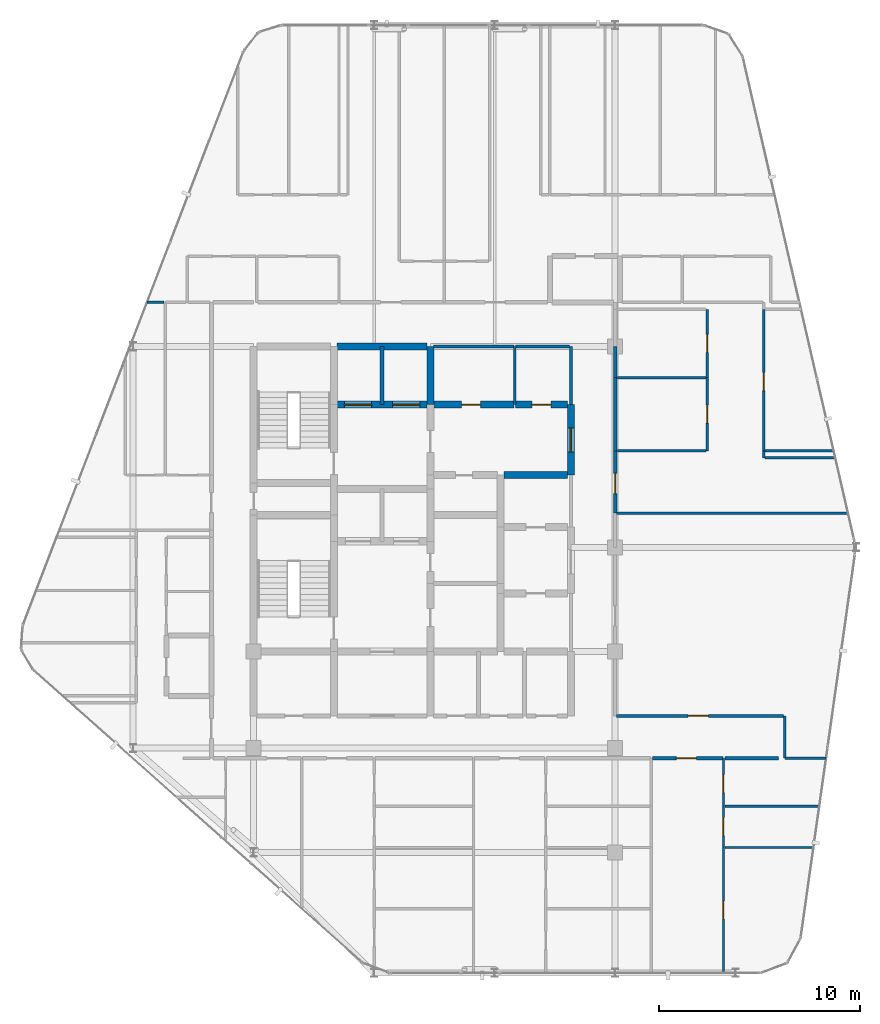
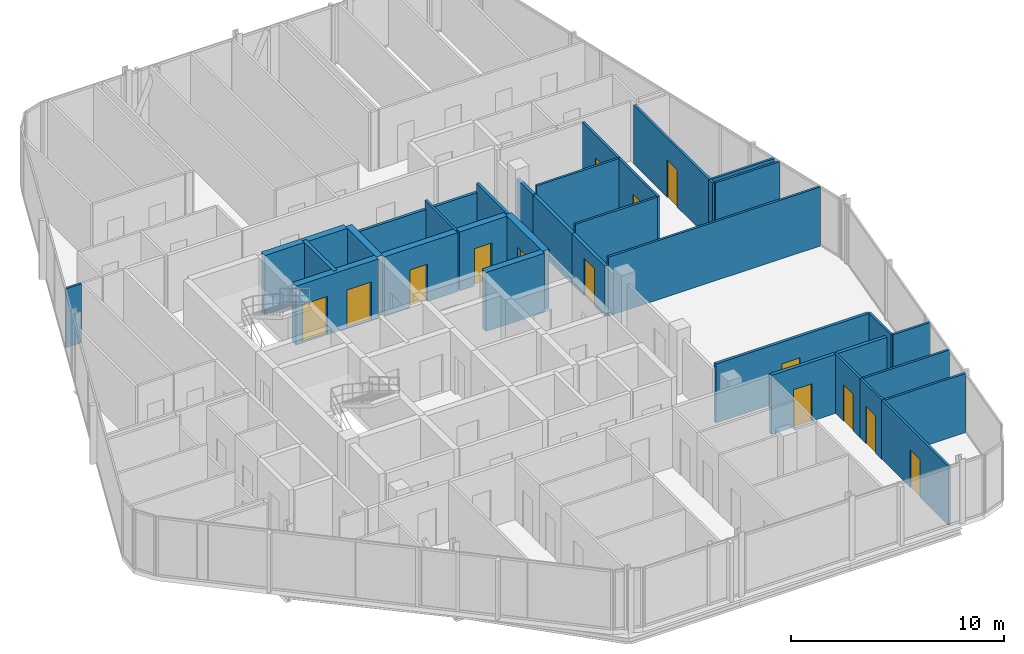
# One storey, part 25 of 28: 35 walls, 14 doors, 14 openings.
"""IFC4 building model written with IfcOpenShell, lengths in metres."""

from ifc_helpers import new_model, si_unit, direction, frame, frame_2d, origin, place, context, subcontext, project, spatial, rectangle, extrude, material, layer, layer_set, type_object, element, fill, save


model = new_model("IFC4")

# Units and contexts
model_context = context("Model", 3, precision=1e-05, world=origin(), true_north=direction((0.0, 1.0)))
body_context = subcontext(model_context, "Body", "Model", "MODEL_VIEW")
ifc_project = project(units=[si_unit("LENGTHUNIT", "METRE"), si_unit("AREAUNIT", "SQUARE_METRE"), si_unit("VOLUMEUNIT", "CUBIC_METRE"), si_unit("PLANEANGLEUNIT", "RADIAN"), si_unit("MASSUNIT", "GRAM", prefix="KILO")], contexts=[model_context])

# Site, building, storey
site_placement = place(None, origin())
site = spatial("IfcSite", under=ifc_project, at=site_placement, CompositionType="ELEMENT")
building_placement = place(site_placement, origin())
building = spatial("IfcBuilding", under=site, at=building_placement, Name="Keshet Zoharim Tower", CompositionType="ELEMENT")
storey_placement = place(building_placement, frame((0.0, 0.0, 258.39990234375)))
storey = spatial("IfcBuildingStorey", under=building, at=storey_placement, Name="L64", CompositionType="ELEMENT", Elevation=258.39990234375)

# Wall
ifc_material_1 = material(Name="Gypsum Plasterboard", Category="gypsum")
ifc_layer_1 = layer(ifc_material_1, 0.14990234375)
ifc_layer_set_1 = layer_set([ifc_layer_1], Name="Gypsum Plasterboard")
wall_type_1 = type_object("IfcWallType", Name="WL-CLIN-150", PredefinedType="STANDARD", material=ifc_layer_set_1)
wall_1_placement = place(storey_placement, frame((30.800048828125, 35.0, 0.0), z_axis=(0.0, 0.0, 1.0), x_axis=(0.0, 1.0, 0.0)))
element("IfcWall", 1, at=wall_1_placement, inside=storey, type_object=wall_type_1, Name="L64 Interior Wall 072", PredefinedType="STANDARD", context=body_context, shape_type="SweptSolid", body=[
    extrude(rectangle(XDim=2.89990234375, YDim=0.14990234375, at=frame_2d((1.449951171875, 0.0))), origin(), (0.0, 0.0, 1.0), 3.39013671875),
])

# Wall, opening, door
wall_2_placement = place(storey_placement, frame((33.06005859375, 19.5, 0.0), z_axis=(0.0, 0.0, 1.0), x_axis=(1.0, 0.0, 0.0)))
wall_2 = element("IfcWall", 2, at=wall_2_placement, inside=storey, type_object=wall_type_1, Name="L64 Interior Wall 119", PredefinedType="STANDARD", context=body_context, shape_type="SweptSolid", body=[
    extrude(rectangle(XDim=8.322998046875, YDim=0.14990234375, at=frame_2d((4.16162109375, 0.0))), origin(), (0.0, 0.0, 1.0), 3.39013671875),
])
opening_1_placement = place(wall_2_placement, frame((3.5830078125, 0.0, 0.0)))
opening_1 = element("IfcOpeningElement", 3, at=opening_1_placement, cuts=wall_2, Name="Opening D-F310", PredefinedType="OPENING", context=body_context, shape_type="SweptSolid", body=[
    extrude(rectangle(XDim=1.0, YDim=2.14990234375, at=frame_2d((0.5, 1.074951171875))), frame((0.0, 0.0849609375, 0.0), z_axis=(0.0, -1.0, 0.0), x_axis=(1.0, 0.0, 0.0)), (0.0, 0.0, 1.0), 0.169921875),
])
ifc_material_2 = material(Name="Hardwood Timber", Category="wood")
door_type_1 = type_object("IfcDoorType", Name="DR-FD30-100", OperationType="NOTDEFINED", PredefinedType="DOOR", material=ifc_material_2)
door_1_placement = place(opening_1_placement, origin())
door_1 = element("IfcDoor", 4, at=door_1_placement, inside=storey, type_object=door_type_1, Name="L64 South West Residents Services Suite Door 2", OperationType="SINGLE_SWING_LEFT", OverallHeight=2.14990234375, OverallWidth=1.0, PredefinedType="DOOR", context=body_context, shape_type="SweptSolid", body=[
    extrude(rectangle(XDim=1.0, YDim=2.14990234375, at=frame_2d((0.5, 1.074951171875))), frame((0.0, 0.02490234375, 0.0), z_axis=(0.0, -1.0, 0.0), x_axis=(1.0, 0.0, 0.0)), (0.0, 0.0, 1.0), 0.050048828125),
])
fill(opening_1, door_1)

# Walls
wall_3_placement = place(storey_placement, frame((23.9599609375, 37.89990234375, 0.0), z_axis=(0.0, 0.0, 1.0), x_axis=(1.0, 0.0, 0.0)))
element("IfcWall", 5, at=wall_3_placement, inside=storey, type_object=wall_type_1, Name="L64 Interior Wall 158", PredefinedType="STANDARD", context=body_context, shape_type="SweptSolid", body=[
    extrude(rectangle(XDim=3.9951171875, YDim=0.14990234375, at=frame_2d((1.99755859375, 0.0))), origin(), (0.0, 0.0, 1.0), 2.89013671875),
])
wall_4_placement = place(storey_placement, frame((28.044921875, 37.89990234375, 0.0), z_axis=(0.0, 0.0, 1.0), x_axis=(1.0, 0.0, 0.0)))
element("IfcWall", 6, at=wall_4_placement, inside=storey, type_object=wall_type_1, Name="L64 Interior Wall 159", PredefinedType="STANDARD", context=body_context, shape_type="SweptSolid", body=[
    extrude(rectangle(XDim=2.695068359375, YDim=0.14990234375, at=frame_2d((1.34765625, 0.0))), origin(), (0.0, 0.0, 1.0), 2.89013671875),
])
ifc_material_3 = material(Name="Concrete C60/75", Category="concrete")
ifc_layer_2 = layer(ifc_material_3, 0.35009765625)
ifc_layer_set_2 = layer_set([ifc_layer_2], Name="Concrete C60/75")
wall_type_2 = type_object("IfcWallType", Name="WL-CORE-350", PredefinedType="SHEAR", material=ifc_layer_set_2)
wall_5_placement = place(storey_placement, frame((23.800048828125, 35.0, 0.0), z_axis=(0.0, 0.0, 1.0), x_axis=(0.0, 1.0, 0.0)))
element("IfcWall", 7, at=wall_5_placement, inside=storey, type_object=wall_type_2, Name="L64 Core Shear Wall 047", PredefinedType="SHEAR", context=body_context, shape_type="SweptSolid", body=[
    extrude(rectangle(XDim=2.89990234375, YDim=0.35009765625, at=frame_2d((1.449951171875, 0.0))), origin(), (0.0, 0.0, 1.0), 3.39013671875),
])

# Wall, opening, door
wall_6_placement = place(storey_placement, frame((30.800048828125, 31.5, 0.0), z_axis=(0.0, 0.0, 1.0), x_axis=(0.0, 1.0, 0.0)))
wall_6 = element("IfcWall", 8, at=wall_6_placement, inside=storey, type_object=wall_type_2, Name="L64 Core Shear Wall 071", PredefinedType="SHEAR", context=body_context, shape_type="SweptSolid", body=[
    extrude(rectangle(XDim=3.5, YDim=0.35009765625, at=frame_2d((1.75, 0.0))), origin(), (0.0, 0.0, 1.0), 3.39013671875),
])
opening_2_placement = place(wall_6_placement, frame((1.14990234375, 0.0, 0.0)))
opening_2 = element("IfcOpeningElement", 9, at=opening_2_placement, cuts=wall_6, Name="Opening D-F612", PredefinedType="OPENING", context=body_context, shape_type="SweptSolid", body=[
    extrude(rectangle(XDim=1.199951171875, YDim=2.199951171875, at=frame_2d((0.60009765625, 1.10009765625))), frame((0.0, 0.18505859375, 0.0), z_axis=(0.0, -1.0, 0.0), x_axis=(1.0, 0.0, 0.0)), (0.0, 0.0, 1.0), 0.3701171875),
])
door_type_2 = type_object("IfcDoorType", Name="DR-FD60-120", OperationType="NOTDEFINED", PredefinedType="DOOR", material=ifc_material_2)
door_2_placement = place(opening_2_placement, origin())
door_2 = element("IfcDoor", 10, at=door_2_placement, inside=storey, type_object=door_type_2, Name="L64 North Lift Lobby East Fire Door", OperationType="SINGLE_SWING_LEFT", OverallHeight=2.199951171875, OverallWidth=1.199951171875, PredefinedType="DOOR", context=body_context, shape_type="SweptSolid", body=[
    extrude(rectangle(XDim=1.199951171875, YDim=2.199951171875, at=frame_2d((0.60009765625, 1.10009765625))), frame((0.0, 0.02490234375, 0.0), z_axis=(0.0, -1.0, 0.0), x_axis=(1.0, 0.0, 0.0)), (0.0, 0.0, 1.0), 0.050048828125),
])
fill(opening_2, door_2)

# Wall
wall_7_placement = place(storey_placement, frame((27.4599609375, 31.5, 0.0), z_axis=(0.0, 0.0, 1.0), x_axis=(1.0, 0.0, 0.0)))
element("IfcWall", 11, at=wall_7_placement, inside=storey, type_object=wall_type_2, Name="L64 Core Shear Wall 148", PredefinedType="SHEAR", context=body_context, shape_type="SweptSolid", body=[
    extrude(rectangle(XDim=3.179931640625, YDim=0.35009765625, at=frame_2d((1.58984375, 0.0))), origin(), (0.0, 0.0, 1.0), 3.39013671875),
])

# Wall, openings, doors
wall_8_placement = place(storey_placement, frame((19.159912109375, 35.0, 0.0), z_axis=(0.0, 0.0, 1.0), x_axis=(1.0, 0.0, 0.0)))
wall_8 = element("IfcWall", 12, at=wall_8_placement, inside=storey, type_object=wall_type_2, Name="L64 Core Shear Wall 152", PredefinedType="SHEAR", context=body_context, shape_type="SweptSolid", body=[
    extrude(rectangle(XDim=4.47998046875, YDim=0.35009765625, at=frame_2d((2.239990234375, 0.0))), origin(), (0.0, 0.0, 1.0), 3.39013671875),
])
opening_3_placement = place(wall_8_placement, frame((0.364990234375, 0.0, 0.0)))
opening_3 = element("IfcOpeningElement", 13, at=opening_3_placement, cuts=wall_8, Name="Opening LD-02", PredefinedType="OPENING", context=body_context, shape_type="SweptSolid", body=[
    extrude(rectangle(XDim=1.35009765625, YDim=2.199951171875, at=frame_2d((0.675048828125, 1.10009765625))), frame((0.0, 0.18505859375, 0.0), z_axis=(0.0, -1.0, 0.0), x_axis=(1.0, 0.0, 0.0)), (0.0, 0.0, 1.0), 0.3701171875),
])
opening_4_placement = place(wall_8_placement, frame((2.764892578125, 0.0, 0.0)))
opening_4 = element("IfcOpeningElement", 14, at=opening_4_placement, cuts=wall_8, Name="Opening LD-02", PredefinedType="OPENING", context=body_context, shape_type="SweptSolid", body=[
    extrude(rectangle(XDim=1.35009765625, YDim=2.199951171875, at=frame_2d((0.675048828125, 1.10009765625))), frame((0.0, 0.18505859375, 0.0), z_axis=(0.0, -1.0, 0.0), x_axis=(1.0, 0.0, 0.0)), (0.0, 0.0, 1.0), 0.3701171875),
])
ifc_material_4 = material(Name="Steel S355", Category="steel")
door_type_3 = type_object("IfcDoorType", Name="DR-LD02-135", OperationType="DOUBLE_DOOR_SLIDING", PredefinedType="DOOR", material=ifc_material_4)
door_3_placement = place(opening_3_placement, origin())
door_3 = element("IfcDoor", 15, at=door_3_placement, inside=storey, type_object=door_type_3, Name="L64 Firefighting Lift Landing Door FF-01", OperationType="DOUBLE_DOOR_SLIDING", OverallHeight=2.199951171875, OverallWidth=1.35009765625, PredefinedType="DOOR", context=body_context, shape_type="SweptSolid", body=[
    extrude(rectangle(XDim=1.35009765625, YDim=2.199951171875, at=frame_2d((0.675048828125, 1.10009765625))), frame((0.0, 0.02490234375, 0.0), z_axis=(0.0, -1.0, 0.0), x_axis=(1.0, 0.0, 0.0)), (0.0, 0.0, 1.0), 0.050048828125),
])
fill(opening_3, door_3)
door_4_placement = place(opening_4_placement, origin())
door_4 = element("IfcDoor", 16, at=door_4_placement, inside=storey, type_object=door_type_3, Name="L64 Firefighting Lift Landing Door FF-02", OperationType="DOUBLE_DOOR_SLIDING", OverallHeight=2.199951171875, OverallWidth=1.35009765625, PredefinedType="DOOR", context=body_context, shape_type="SweptSolid", body=[
    extrude(rectangle(XDim=1.35009765625, YDim=2.199951171875, at=frame_2d((0.675048828125, 1.10009765625))), frame((0.0, 0.02490234375, 0.0), z_axis=(0.0, -1.0, 0.0), x_axis=(1.0, 0.0, 0.0)), (0.0, 0.0, 1.0), 0.050048828125),
])
fill(opening_4, door_4)

# Wall, opening, door
wall_9_placement = place(storey_placement, frame((23.9599609375, 35.0, 0.0), z_axis=(0.0, 0.0, 1.0), x_axis=(1.0, 0.0, 0.0)))
wall_9 = element("IfcWall", 17, at=wall_9_placement, inside=storey, type_object=wall_type_2, Name="L64 Core Shear Wall 153", PredefinedType="SHEAR", context=body_context, shape_type="SweptSolid", body=[
    extrude(rectangle(XDim=3.9951171875, YDim=0.35009765625, at=frame_2d((1.99755859375, 0.0))), origin(), (0.0, 0.0, 1.0), 3.39013671875),
])
opening_5_placement = place(wall_9_placement, frame((1.39306640625, 0.0, 0.0)))
opening_5 = element("IfcOpeningElement", 18, at=opening_5_placement, cuts=wall_9, Name="Opening D-F695", PredefinedType="OPENING", context=body_context, shape_type="SweptSolid", body=[
    extrude(rectangle(XDim=0.949951171875, YDim=2.14990234375, at=frame_2d((0.47509765625, 1.074951171875))), frame((0.0, 0.18505859375, 0.0), z_axis=(0.0, -1.0, 0.0), x_axis=(1.0, 0.0, 0.0)), (0.0, 0.0, 1.0), 0.3701171875),
])
door_type_4 = type_object("IfcDoorType", Name="DR-FD60-095", OperationType="NOTDEFINED", PredefinedType="DOOR", material=ifc_material_2)
door_5_placement = place(opening_5_placement, frame((0.949951171875, 0.0, 0.0), z_axis=(0.0, 0.0, 1.0), x_axis=(-1.0, 0.0, 0.0)))
door_5 = element("IfcDoor", 19, at=door_5_placement, inside=storey, type_object=door_type_4, Name="L64 Laundry Room Door", OperationType="SINGLE_SWING_RIGHT", OverallHeight=2.14990234375, OverallWidth=0.949951171875, PredefinedType="DOOR", context=body_context, shape_type="SweptSolid", body=[
    extrude(rectangle(XDim=0.949951171875, YDim=2.14990234375, at=frame_2d((0.47509765625, 1.074951171875))), frame((0.0, 0.02490234375, 0.0), z_axis=(0.0, -1.0, 0.0), x_axis=(1.0, 0.0, 0.0)), (0.0, 0.0, 1.0), 0.050048828125),
])
fill(opening_5, door_5)

wall_10_placement = place(storey_placement, frame((28.044921875, 35.0, 0.0), z_axis=(0.0, 0.0, 1.0), x_axis=(1.0, 0.0, 0.0)))
wall_10 = element("IfcWall", 20, at=wall_10_placement, inside=storey, type_object=wall_type_2, Name="L64 Core Shear Wall 154", PredefinedType="SHEAR", context=body_context, shape_type="SweptSolid", body=[
    extrude(rectangle(XDim=2.594970703125, YDim=0.35009765625, at=frame_2d((1.29736328125, 0.0))), origin(), (0.0, 0.0, 1.0), 3.39013671875),
])
opening_6_placement = place(wall_10_placement, frame((0.805908203125, 0.0, 0.0)))
opening_6 = element("IfcOpeningElement", 21, at=opening_6_placement, cuts=wall_10, Name="Opening D-F695", PredefinedType="OPENING", context=body_context, shape_type="SweptSolid", body=[
    extrude(rectangle(XDim=0.949951171875, YDim=2.14990234375, at=frame_2d((0.47509765625, 1.074951171875))), frame((0.0, 0.18505859375, 0.0), z_axis=(0.0, -1.0, 0.0), x_axis=(1.0, 0.0, 0.0)), (0.0, 0.0, 1.0), 0.3701171875),
])
door_6_placement = place(opening_6_placement, frame((0.949951171875, 0.0, 0.0), z_axis=(0.0, 0.0, 1.0), x_axis=(-1.0, 0.0, 0.0)))
door_6 = element("IfcDoor", 22, at=door_6_placement, inside=storey, type_object=door_type_4, Name="L64 Quiet Study Room Door", OperationType="SINGLE_SWING_LEFT", OverallHeight=2.14990234375, OverallWidth=0.949951171875, PredefinedType="DOOR", context=body_context, shape_type="SweptSolid", body=[
    extrude(rectangle(XDim=0.949951171875, YDim=2.14990234375, at=frame_2d((0.47509765625, 1.074951171875))), frame((0.0, 0.02490234375, 0.0), z_axis=(0.0, -1.0, 0.0), x_axis=(1.0, 0.0, 0.0)), (0.0, 0.0, 1.0), 0.050048828125),
])
fill(opening_6, door_6)

# Wall
wall_11_placement = place(storey_placement, frame((19.159912109375, 37.89990234375, 0.0), z_axis=(0.0, 0.0, 1.0), x_axis=(1.0, 0.0, 0.0)))
element("IfcWall", 23, at=wall_11_placement, inside=storey, type_object=wall_type_2, Name="L64 Core Shear Wall 157", PredefinedType="SHEAR", context=body_context, shape_type="SweptSolid", body=[
    extrude(rectangle(XDim=4.47998046875, YDim=0.35009765625, at=frame_2d((2.239990234375, 0.0))), origin(), (0.0, 0.0, 1.0), 3.39013671875),
])

# Wall, opening, door
ifc_layer_3 = layer(ifc_material_1, 0.179931640625)
ifc_layer_set_3 = layer_set([ifc_layer_3], Name="Gypsum Plasterboard")
wall_type_3 = type_object("IfcWallType", Name="WL-CORR-180", PredefinedType="STANDARD", material=ifc_layer_set_3)
wall_12_placement = place(storey_placement, frame((33.0, 29.60009765625, 0.0), z_axis=(0.0, 0.0, 1.0), x_axis=(0.0, 1.0, 0.0)))
wall_12 = element("IfcWall", 24, at=wall_12_placement, inside=storey, type_object=wall_type_3, Name="L64 Interior Wall 075", PredefinedType="STANDARD", context=body_context, shape_type="SweptSolid", body=[
    extrude(rectangle(XDim=3.099853515625, YDim=0.179931640625, at=frame_2d((1.5498046875, 0.0))), origin(), (0.0, 0.0, 1.0), 2.89013671875),
])
opening_7_placement = place(wall_12_placement, frame((0.97802734375, 0.0, 0.0)))
opening_7 = element("IfcOpeningElement", 25, at=opening_7_placement, cuts=wall_12, Name="Opening D-F310", PredefinedType="OPENING", context=body_context, shape_type="SweptSolid", body=[
    extrude(rectangle(XDim=1.0, YDim=2.14990234375, at=frame_2d((0.5, 1.074951171875))), frame((0.0, 0.10009765625, 0.0), z_axis=(0.0, -1.0, 0.0), x_axis=(1.0, 0.0, 0.0)), (0.0, 0.0, 1.0), 0.199951171875),
])
door_7_placement = place(opening_7_placement, origin())
door_7 = element("IfcDoor", 26, at=door_7_placement, inside=storey, type_object=door_type_1, Name="Apartment 6409 Entrance Door", OperationType="SINGLE_SWING_LEFT", OverallHeight=2.14990234375, OverallWidth=1.0, PredefinedType="DOOR", context=body_context, shape_type="SweptSolid", body=[
    extrude(rectangle(XDim=1.0, YDim=2.14990234375, at=frame_2d((0.5, 1.074951171875))), frame((0.0, 0.02490234375, 0.0), z_axis=(0.0, -1.0, 0.0), x_axis=(1.0, 0.0, 0.0)), (0.0, 0.0, 1.0), 0.050048828125),
])
fill(opening_7, door_7)

# Walls
wall_13_placement = place(storey_placement, frame((33.0, 32.699951171875, 0.0), z_axis=(0.0, 0.0, 1.0), x_axis=(0.0, 1.0, 0.0)))
element("IfcWall", 27, at=wall_13_placement, inside=storey, type_object=wall_type_3, Name="L64 Interior Wall 076", PredefinedType="STANDARD", context=body_context, shape_type="SweptSolid", body=[
    extrude(rectangle(XDim=3.666015625, YDim=0.179931640625, at=frame_2d((1.8330078125, 0.0))), origin(), (0.0, 0.0, 1.0), 2.89013671875),
])
wall_14_placement = place(storey_placement, frame((33.0, 36.365966796875, 0.0), z_axis=(0.0, 0.0, 1.0), x_axis=(0.0, 1.0, 0.0)))
element("IfcWall", 28, at=wall_14_placement, inside=storey, type_object=wall_type_3, Name="L64 Interior Wall 077", PredefinedType="STANDARD", context=body_context, shape_type="SweptSolid", body=[
    extrude(rectangle(XDim=1.533935546875, YDim=0.179931640625, at=frame_2d((0.76708984375, 0.0))), origin(), (0.0, 0.0, 1.0), 2.89013671875),
])

# Wall, opening, door
wall_15_placement = place(storey_placement, frame((34.864990234375, 17.39990234375, 0.0), z_axis=(0.0, 0.0, 1.0), x_axis=(1.0, 0.0, 0.0)))
wall_15 = element("IfcWall", 29, at=wall_15_placement, inside=storey, type_object=wall_type_3, Name="L64 Interior Wall 112", PredefinedType="STANDARD", context=body_context, shape_type="SweptSolid", body=[
    extrude(rectangle(XDim=3.510009765625, YDim=0.179931640625, at=frame_2d((1.7548828125, 0.0))), origin(), (0.0, 0.0, 1.0), 3.39013671875),
])
opening_8_placement = place(wall_15_placement, frame((1.18505859375, 0.0, 0.0)))
opening_8 = element("IfcOpeningElement", 30, at=opening_8_placement, cuts=wall_15, Name="Opening D-F310", PredefinedType="OPENING", context=body_context, shape_type="SweptSolid", body=[
    extrude(rectangle(XDim=1.0, YDim=2.14990234375, at=frame_2d((0.5, 1.074951171875))), frame((0.0, 0.10009765625, 0.0), z_axis=(0.0, -1.0, 0.0), x_axis=(1.0, 0.0, 0.0)), (0.0, 0.0, 1.0), 0.199951171875),
])
door_8_placement = place(opening_8_placement, origin())
door_8 = element("IfcDoor", 31, at=door_8_placement, inside=storey, type_object=door_type_1, Name="Apartment 6404 Entrance Door", OperationType="SINGLE_SWING_LEFT", OverallHeight=2.14990234375, OverallWidth=1.0, PredefinedType="DOOR", context=body_context, shape_type="SweptSolid", body=[
    extrude(rectangle(XDim=1.0, YDim=2.14990234375, at=frame_2d((0.5, 1.074951171875))), frame((0.0, 0.02490234375, 0.0), z_axis=(0.0, -1.0, 0.0), x_axis=(1.0, 0.0, 0.0)), (0.0, 0.0, 1.0), 0.050048828125),
])
fill(opening_8, door_8)

# Walls
wall_16_placement = place(storey_placement, frame((38.465087890625, 17.39990234375, 0.0), z_axis=(0.0, 0.0, 1.0), x_axis=(1.0, 0.0, 0.0)))
element("IfcWall", 32, at=wall_16_placement, inside=storey, type_object=wall_type_3, Name="L64 Interior Wall 113", PredefinedType="STANDARD", context=body_context, shape_type="SweptSolid", body=[
    extrude(rectangle(XDim=2.664794921875, YDim=0.179931640625, at=frame_2d((1.33251953125, 0.0))), origin(), (0.0, 0.0, 1.0), 3.39013671875),
])
ifc_material_5 = material(Name="Concrete C50/60", Category="concrete")
ifc_layer_4 = layer(ifc_material_5, 0.199951171875)
ifc_layer_set_4 = layer_set([ifc_layer_4], Name="Concrete C50/60")
wall_type_4 = type_object("IfcWallType", Name="WL-FIRE-200", PredefinedType="STANDARD", material=ifc_layer_set_4)
wall_17_placement = place(storey_placement, frame((21.39990234375, 35.0, 0.0), z_axis=(0.0, 0.0, 1.0), x_axis=(0.0, 1.0, 0.0)))
element("IfcWall", 33, at=wall_17_placement, inside=storey, type_object=wall_type_4, Name="L64 Interior Wall 039", PredefinedType="STANDARD", context=body_context, shape_type="SweptSolid", body=[
    extrude(rectangle(XDim=2.89990234375, YDim=0.199951171875, at=frame_2d((1.449951171875, 0.0))), origin(), (0.0, 0.0, 1.0), 3.39013671875),
])
ifc_layer_5 = layer(ifc_material_1, 0.1201171875)
ifc_layer_set_5 = layer_set([ifc_layer_5], Name="Gypsum Plasterboard")
wall_type_5 = type_object("IfcWallType", Name="WL-PART-120", PredefinedType="PARTITIONING", material=ifc_layer_set_5)
wall_18_placement = place(storey_placement, frame((28.0, 35.0, 0.0), z_axis=(0.0, 0.0, 1.0), x_axis=(0.0, 1.0, 0.0)))
element("IfcWall", 34, at=wall_18_placement, inside=storey, type_object=wall_type_5, Name="L64 Interior Wall 059", PredefinedType="PARTITIONING", context=body_context, shape_type="SweptSolid", body=[
    extrude(rectangle(XDim=2.89990234375, YDim=0.1201171875, at=frame_2d((1.449951171875, 0.0))), origin(), (0.0, 0.0, 1.0), 3.39013671875),
])

# Wall, opening, door
wall_19_placement = place(storey_placement, frame((37.60009765625, 32.699951171875, 0.0), z_axis=(0.0, 0.0, 1.0), x_axis=(0.0, 1.0, 0.0)))
wall_19 = element("IfcWall", 35, at=wall_19_placement, inside=storey, type_object=wall_type_5, Name="L64 Interior Wall 085", PredefinedType="PARTITIONING", context=body_context, shape_type="SweptSolid", body=[
    extrude(rectangle(XDim=3.666015625, YDim=0.1201171875, at=frame_2d((1.8330078125, 0.0))), origin(), (0.0, 0.0, 1.0), 3.39013671875),
])
opening_9_placement = place(wall_19_placement, frame((1.383056640625, 0.0, 0.0)))
opening_9 = element("IfcOpeningElement", 36, at=opening_9_placement, cuts=wall_19, Name="Opening D-IN90", PredefinedType="OPENING", context=body_context, shape_type="SweptSolid", body=[
    extrude(rectangle(XDim=0.89990234375, YDim=2.14990234375, at=frame_2d((0.449951171875, 1.074951171875))), frame((0.0, 0.070068359375, 0.0), z_axis=(0.0, -1.0, 0.0), x_axis=(1.0, 0.0, 0.0)), (0.0, 0.0, 1.0), 0.14013671875),
])
door_type_5 = type_object("IfcDoorType", Name="DR-INT-090", OperationType="NOTDEFINED", PredefinedType="DOOR", material=ifc_material_2)
door_9_placement = place(opening_9_placement, origin())
door_9 = element("IfcDoor", 37, at=door_9_placement, inside=storey, type_object=door_type_5, Name="Apartment 6409 Kitchen Door", OperationType="SINGLE_SWING_RIGHT", OverallHeight=2.14990234375, OverallWidth=0.89990234375, PredefinedType="DOOR", context=body_context, shape_type="SweptSolid", body=[
    extrude(rectangle(XDim=0.89990234375, YDim=2.14990234375, at=frame_2d((0.449951171875, 1.074951171875))), frame((0.0, 0.02490234375, 0.0), z_axis=(0.0, -1.0, 0.0), x_axis=(1.0, 0.0, 0.0)), (0.0, 0.0, 1.0), 0.050048828125),
])
fill(opening_9, door_9)

wall_20_placement = place(storey_placement, frame((38.39990234375, 6.7099609375, 0.0), z_axis=(0.0, 0.0, 1.0), x_axis=(0.0, 1.0, 0.0)))
wall_20 = element("IfcWall", 38, at=wall_20_placement, inside=storey, type_object=wall_type_5, Name="L64 Interior Wall 088", PredefinedType="PARTITIONING", context=body_context, shape_type="SweptSolid", body=[
    extrude(rectangle(XDim=6.260009765625, YDim=0.1201171875, at=frame_2d((3.1298828125, 0.0))), origin(), (0.0, 0.0, 1.0), 3.39013671875),
])
opening_10_placement = place(wall_20_placement, frame((2.679931640625, 0.0, 0.0)))
opening_10 = element("IfcOpeningElement", 39, at=opening_10_placement, cuts=wall_20, Name="Opening D-IN90", PredefinedType="OPENING", context=body_context, shape_type="SweptSolid", body=[
    extrude(rectangle(XDim=0.89990234375, YDim=2.14990234375, at=frame_2d((0.449951171875, 1.074951171875))), frame((0.0, 0.070068359375, 0.0), z_axis=(0.0, -1.0, 0.0), x_axis=(1.0, 0.0, 0.0)), (0.0, 0.0, 1.0), 0.14013671875),
])
door_10_placement = place(opening_10_placement, origin())
door_10 = element("IfcDoor", 40, at=door_10_placement, inside=storey, type_object=door_type_5, Name="Apartment 6404 Bedroom 1 Door", OperationType="SINGLE_SWING_RIGHT", OverallHeight=2.14990234375, OverallWidth=0.89990234375, PredefinedType="DOOR", context=body_context, shape_type="SweptSolid", body=[
    extrude(rectangle(XDim=0.89990234375, YDim=2.14990234375, at=frame_2d((0.449951171875, 1.074951171875))), frame((0.0, 0.02490234375, 0.0), z_axis=(0.0, -1.0, 0.0), x_axis=(1.0, 0.0, 0.0)), (0.0, 0.0, 1.0), 0.050048828125),
])
fill(opening_10, door_10)

wall_21_placement = place(storey_placement, frame((38.39990234375, 12.969970703125, 0.0), z_axis=(0.0, 0.0, 1.0), x_axis=(0.0, 1.0, 0.0)))
wall_21 = element("IfcWall", 41, at=wall_21_placement, inside=storey, type_object=wall_type_5, Name="L64 Interior Wall 089", PredefinedType="PARTITIONING", context=body_context, shape_type="SweptSolid", body=[
    extrude(rectangle(XDim=2.0380859375, YDim=0.1201171875, at=frame_2d((1.01904296875, 0.0))), origin(), (0.0, 0.0, 1.0), 3.39013671875),
])
opening_11_placement = place(wall_21_placement, frame((0.569091796875, 0.0, 0.0)))
opening_11 = element("IfcOpeningElement", 42, at=opening_11_placement, cuts=wall_21, Name="Opening D-IN90", PredefinedType="OPENING", context=body_context, shape_type="SweptSolid", body=[
    extrude(rectangle(XDim=0.89990234375, YDim=2.14990234375, at=frame_2d((0.449951171875, 1.074951171875))), frame((0.0, 0.070068359375, 0.0), z_axis=(0.0, -1.0, 0.0), x_axis=(1.0, 0.0, 0.0)), (0.0, 0.0, 1.0), 0.14013671875),
])
door_11_placement = place(opening_11_placement, origin())
door_11 = element("IfcDoor", 43, at=door_11_placement, inside=storey, type_object=door_type_5, Name="Apartment 6404 Kitchen Door", OperationType="SINGLE_SWING_LEFT", OverallHeight=2.14990234375, OverallWidth=0.89990234375, PredefinedType="DOOR", context=body_context, shape_type="SweptSolid", body=[
    extrude(rectangle(XDim=0.89990234375, YDim=2.14990234375, at=frame_2d((0.449951171875, 1.074951171875))), frame((0.0, 0.02490234375, 0.0), z_axis=(0.0, -1.0, 0.0), x_axis=(1.0, 0.0, 0.0)), (0.0, 0.0, 1.0), 0.050048828125),
])
fill(opening_11, door_11)

# Wall
wall_22_placement = place(storey_placement, frame((40.39990234375, 32.35009765625, 0.0), z_axis=(0.0, 0.0, 1.0), x_axis=(0.0, 1.0, 0.0)))
element("IfcWall", 44, at=wall_22_placement, inside=storey, type_object=wall_type_5, Name="L64 Interior Wall 091", PredefinedType="PARTITIONING", context=body_context, shape_type="SweptSolid", body=[
    extrude(rectangle(XDim=0.349853515625, YDim=0.1201171875, at=frame_2d((0.1748046875, 0.0))), origin(), (0.0, 0.0, 1.0), 3.39013671875),
])

# Wall, opening, door
wall_23_placement = place(storey_placement, frame((40.39990234375, 32.699951171875, 0.0), z_axis=(0.0, 0.0, 1.0), x_axis=(0.0, 1.0, 0.0)))
wall_23 = element("IfcWall", 45, at=wall_23_placement, inside=storey, type_object=wall_type_5, Name="L64 Interior Wall 092", PredefinedType="PARTITIONING", context=body_context, shape_type="SweptSolid", body=[
    extrude(rectangle(XDim=7.050048828125, YDim=0.1201171875, at=frame_2d((3.52490234375, 0.0))), origin(), (0.0, 0.0, 1.0), 3.39013671875),
])
opening_12_placement = place(wall_23_placement, frame((3.00390625, 0.0, 0.0)))
opening_12 = element("IfcOpeningElement", 46, at=opening_12_placement, cuts=wall_23, Name="Opening D-IN90", PredefinedType="OPENING", context=body_context, shape_type="SweptSolid", body=[
    extrude(rectangle(XDim=0.89990234375, YDim=2.14990234375, at=frame_2d((0.449951171875, 1.074951171875))), frame((0.0, 0.070068359375, 0.0), z_axis=(0.0, -1.0, 0.0), x_axis=(1.0, 0.0, 0.0)), (0.0, 0.0, 1.0), 0.14013671875),
])
door_12_placement = place(opening_12_placement, origin())
door_12 = element("IfcDoor", 47, at=door_12_placement, inside=storey, type_object=door_type_5, Name="Apartment 6409 Bedroom 1 Door", OperationType="SINGLE_SWING_LEFT", OverallHeight=2.14990234375, OverallWidth=0.89990234375, PredefinedType="DOOR", context=body_context, shape_type="SweptSolid", body=[
    extrude(rectangle(XDim=0.89990234375, YDim=2.14990234375, at=frame_2d((0.449951171875, 1.074951171875))), frame((0.0, 0.02490234375, 0.0), z_axis=(0.0, -1.0, 0.0), x_axis=(1.0, 0.0, 0.0)), (0.0, 0.0, 1.0), 0.050048828125),
])
fill(opening_12, door_12)

# Walls
wall_24_placement = place(storey_placement, frame((41.449951171875, 17.39990234375, 0.0), z_axis=(0.0, 0.0, 1.0), x_axis=(0.0, 1.0, 0.0)))
element("IfcWall", 48, at=wall_24_placement, inside=storey, type_object=wall_type_5, Name="L64 Interior Wall 095", PredefinedType="PARTITIONING", context=body_context, shape_type="SweptSolid", body=[
    extrude(rectangle(XDim=2.09912109375, YDim=0.1201171875, at=frame_2d((1.049560546875, 0.0))), origin(), (0.0, 0.0, 1.0), 3.39013671875),
])
wall_25_placement = place(storey_placement, frame((38.465087890625, 12.949951171875, 0.0), z_axis=(0.0, 0.0, 1.0), x_axis=(1.0, 0.0, 0.0)))
element("IfcWall", 49, at=wall_25_placement, inside=storey, type_object=wall_type_5, Name="L64 Interior Wall 100", PredefinedType="PARTITIONING", context=body_context, shape_type="SweptSolid", body=[
    extrude(rectangle(XDim=4.408935546875, YDim=0.1201171875, at=frame_2d((2.20458984375, 0.0))), origin(), (0.0, 0.0, 1.0), 3.39013671875),
])
wall_26_placement = place(storey_placement, frame((33.074951171875, 29.60009765625, 0.0), z_axis=(0.0, 0.0, 1.0), x_axis=(1.0, 0.0, 0.0)))
element("IfcWall", 50, at=wall_26_placement, inside=storey, type_object=wall_type_5, Name="L64 Interior Wall 142", PredefinedType="PARTITIONING", context=body_context, shape_type="SweptSolid", body=[
    extrude(rectangle(XDim=11.52197265625, YDim=0.1201171875, at=frame_2d((5.760986328125, 0.0))), origin(), (0.0, 0.0, 1.0), 3.39013671875),
])
wall_27_placement = place(storey_placement, frame((40.465087890625, 32.35009765625, 0.0), z_axis=(0.0, 0.0, 1.0), x_axis=(1.0, 0.0, 0.0)))
element("IfcWall", 51, at=wall_27_placement, inside=storey, type_object=wall_type_5, Name="L64 Interior Wall 149", PredefinedType="PARTITIONING", context=body_context, shape_type="SweptSolid", body=[
    extrude(rectangle(XDim=3.497802734375, YDim=0.1201171875, at=frame_2d((1.7490234375, 0.0))), origin(), (0.0, 0.0, 1.0), 3.39013671875),
])
wall_28_placement = place(storey_placement, frame((33.074951171875, 32.699951171875, 0.0), z_axis=(0.0, 0.0, 1.0), x_axis=(1.0, 0.0, 0.0)))
element("IfcWall", 52, at=wall_28_placement, inside=storey, type_object=wall_type_5, Name="L64 Interior Wall 150", PredefinedType="PARTITIONING", context=body_context, shape_type="SweptSolid", body=[
    extrude(rectangle(XDim=4.4599609375, YDim=0.1201171875, at=frame_2d((2.22998046875, 0.0))), origin(), (0.0, 0.0, 1.0), 3.39013671875),
])
wall_29_placement = place(storey_placement, frame((40.465087890625, 32.699951171875, 0.0), z_axis=(0.0, 0.0, 1.0), x_axis=(1.0, 0.0, 0.0)))
element("IfcWall", 53, at=wall_29_placement, inside=storey, type_object=wall_type_5, Name="L64 Interior Wall 151", PredefinedType="PARTITIONING", context=body_context, shape_type="SweptSolid", body=[
    extrude(rectangle(XDim=3.4169921875, YDim=0.1201171875, at=frame_2d((1.70849609375, 0.0))), origin(), (0.0, 0.0, 1.0), 3.39013671875),
])
wall_30_placement = place(storey_placement, frame((9.701904296875, 40.10009765625, 0.0), z_axis=(0.0, 0.0, 1.0), x_axis=(1.0, 0.0, 0.0)))
element("IfcWall", 54, at=wall_30_placement, inside=storey, type_object=wall_type_5, Name="L64 Interior Wall 162", PredefinedType="PARTITIONING", context=body_context, shape_type="SweptSolid", body=[
    extrude(rectangle(XDim=0.8310546875, YDim=0.1201171875, at=frame_2d((0.41552734375, 0.0))), origin(), (0.0, 0.0, 1.0), 3.39013671875),
])

# Wall, opening, door
ifc_layer_6 = layer(ifc_material_1, 0.1201171875)
ifc_layer_set_6 = layer_set([ifc_layer_6], Name="Gypsum Plasterboard")
wall_type_6 = type_object("IfcWallType", Name="WL-WET-120", PredefinedType="PARTITIONING", material=ifc_layer_set_6)
wall_31_placement = place(storey_placement, frame((37.60009765625, 36.365966796875, 0.0), z_axis=(0.0, 0.0, 1.0), x_axis=(0.0, 1.0, 0.0)))
wall_31 = element("IfcWall", 55, at=wall_31_placement, inside=storey, type_object=wall_type_6, Name="L64 Interior Wall 086", PredefinedType="PARTITIONING", context=body_context, shape_type="SweptSolid", body=[
    extrude(rectangle(XDim=3.384033203125, YDim=0.1201171875, at=frame_2d((1.69189453125, 0.0))), origin(), (0.0, 0.0, 1.0), 3.39013671875),
])
opening_13_placement = place(wall_31_placement, frame((1.241943359375, 0.0, 0.0)))
opening_13 = element("IfcOpeningElement", 56, at=opening_13_placement, cuts=wall_31, Name="Opening D-WT90", PredefinedType="OPENING", context=body_context, shape_type="SweptSolid", body=[
    extrude(rectangle(XDim=0.89990234375, YDim=2.10009765625, at=frame_2d((0.449951171875, 1.050048828125))), frame((0.0, 0.070068359375, 0.0), z_axis=(0.0, -1.0, 0.0), x_axis=(1.0, 0.0, 0.0)), (0.0, 0.0, 1.0), 0.14013671875),
])
door_type_6 = type_object("IfcDoorType", Name="DR-WET-090", OperationType="NOTDEFINED", PredefinedType="DOOR", material=ifc_material_2)
door_13_placement = place(opening_13_placement, origin())
door_13 = element("IfcDoor", 57, at=door_13_placement, inside=storey, type_object=door_type_6, Name="Apartment 6409 Bathroom Door", OperationType="SINGLE_SWING_LEFT", OverallHeight=2.10009765625, OverallWidth=0.89990234375, PredefinedType="DOOR", context=body_context, shape_type="SweptSolid", body=[
    extrude(rectangle(XDim=0.89990234375, YDim=2.10009765625, at=frame_2d((0.449951171875, 1.050048828125))), frame((0.0, 0.02490234375, 0.0), z_axis=(0.0, -1.0, 0.0), x_axis=(1.0, 0.0, 0.0)), (0.0, 0.0, 1.0), 0.050048828125),
])
fill(opening_13, door_13)

wall_32_placement = place(storey_placement, frame((38.39990234375, 15.008056640625, 0.0), z_axis=(0.0, 0.0, 1.0), x_axis=(0.0, 1.0, 0.0)))
wall_32 = element("IfcWall", 58, at=wall_32_placement, inside=storey, type_object=wall_type_6, Name="L64 Interior Wall 090", PredefinedType="PARTITIONING", context=body_context, shape_type="SweptSolid", body=[
    extrude(rectangle(XDim=2.391845703125, YDim=0.1201171875, at=frame_2d((1.19580078125, 0.0))), origin(), (0.0, 0.0, 1.0), 3.39013671875),
])
opening_14_placement = place(wall_32_placement, frame((0.675048828125, 0.0, 0.0)))
opening_14 = element("IfcOpeningElement", 59, at=opening_14_placement, cuts=wall_32, Name="Opening D-WT90", PredefinedType="OPENING", context=body_context, shape_type="SweptSolid", body=[
    extrude(rectangle(XDim=0.89990234375, YDim=2.10009765625, at=frame_2d((0.449951171875, 1.050048828125))), frame((0.0, 0.070068359375, 0.0), z_axis=(0.0, -1.0, 0.0), x_axis=(1.0, 0.0, 0.0)), (0.0, 0.0, 1.0), 0.14013671875),
])
door_14_placement = place(opening_14_placement, origin())
door_14 = element("IfcDoor", 60, at=door_14_placement, inside=storey, type_object=door_type_6, Name="Apartment 6404 Bathroom Door", OperationType="SINGLE_SWING_RIGHT", OverallHeight=2.10009765625, OverallWidth=0.89990234375, PredefinedType="DOOR", context=body_context, shape_type="SweptSolid", body=[
    extrude(rectangle(XDim=0.89990234375, YDim=2.10009765625, at=frame_2d((0.449951171875, 1.050048828125))), frame((0.0, 0.02490234375, 0.0), z_axis=(0.0, -1.0, 0.0), x_axis=(1.0, 0.0, 0.0)), (0.0, 0.0, 1.0), 0.050048828125),
])
fill(opening_14, door_14)

# Walls
wall_33_placement = place(storey_placement, frame((38.465087890625, 15.0, 0.0), z_axis=(0.0, 0.0, 1.0), x_axis=(1.0, 0.0, 0.0)))
element("IfcWall", 61, at=wall_33_placement, inside=storey, type_object=wall_type_6, Name="L64 Interior Wall 103", PredefinedType="PARTITIONING", context=body_context, shape_type="SweptSolid", body=[
    extrude(rectangle(XDim=4.698974609375, YDim=0.1201171875, at=frame_2d((2.349609375, 0.0))), origin(), (0.0, 0.0, 1.0), 3.39013671875),
])
wall_34_placement = place(storey_placement, frame((41.472900390625, 17.39990234375, 0.0), z_axis=(0.0, 0.0, 1.0), x_axis=(1.0, 0.0, 0.0)))
element("IfcWall", 62, at=wall_34_placement, inside=storey, type_object=wall_type_6, Name="L64 Interior Wall 114", PredefinedType="PARTITIONING", context=body_context, shape_type="SweptSolid", body=[
    extrude(rectangle(XDim=2.031005859375, YDim=0.1201171875, at=frame_2d((1.015625, 0.0))), origin(), (0.0, 0.0, 1.0), 3.39013671875),
])
wall_35_placement = place(storey_placement, frame((33.074951171875, 36.35009765625, 0.0), z_axis=(0.0, 0.0, 1.0), x_axis=(1.0, 0.0, 0.0)))
element("IfcWall", 63, at=wall_35_placement, inside=storey, type_object=wall_type_6, Name="L64 Interior Wall 155", PredefinedType="PARTITIONING", context=body_context, shape_type="SweptSolid", body=[
    extrude(rectangle(XDim=4.4599609375, YDim=0.1201171875, at=frame_2d((2.22998046875, 0.0))), origin(), (0.0, 0.0, 1.0), 3.39013671875),
])

save(model, "model.ifc")
